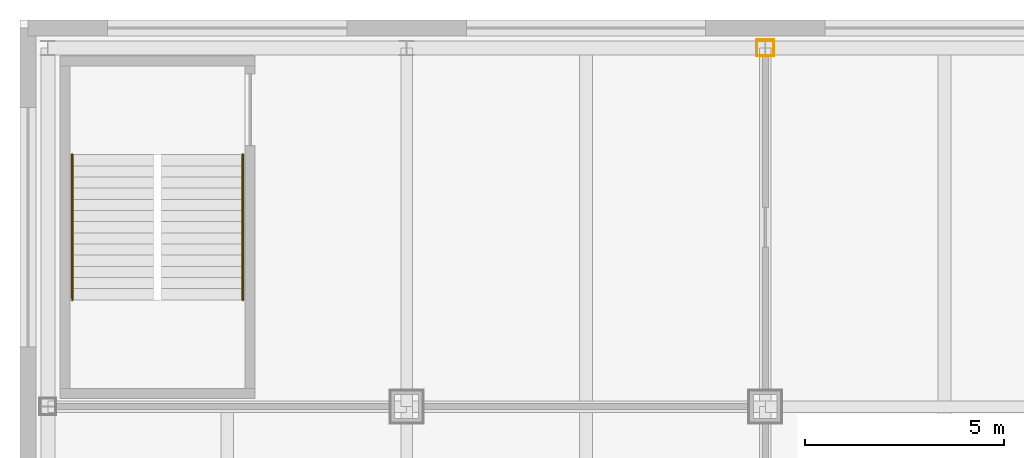
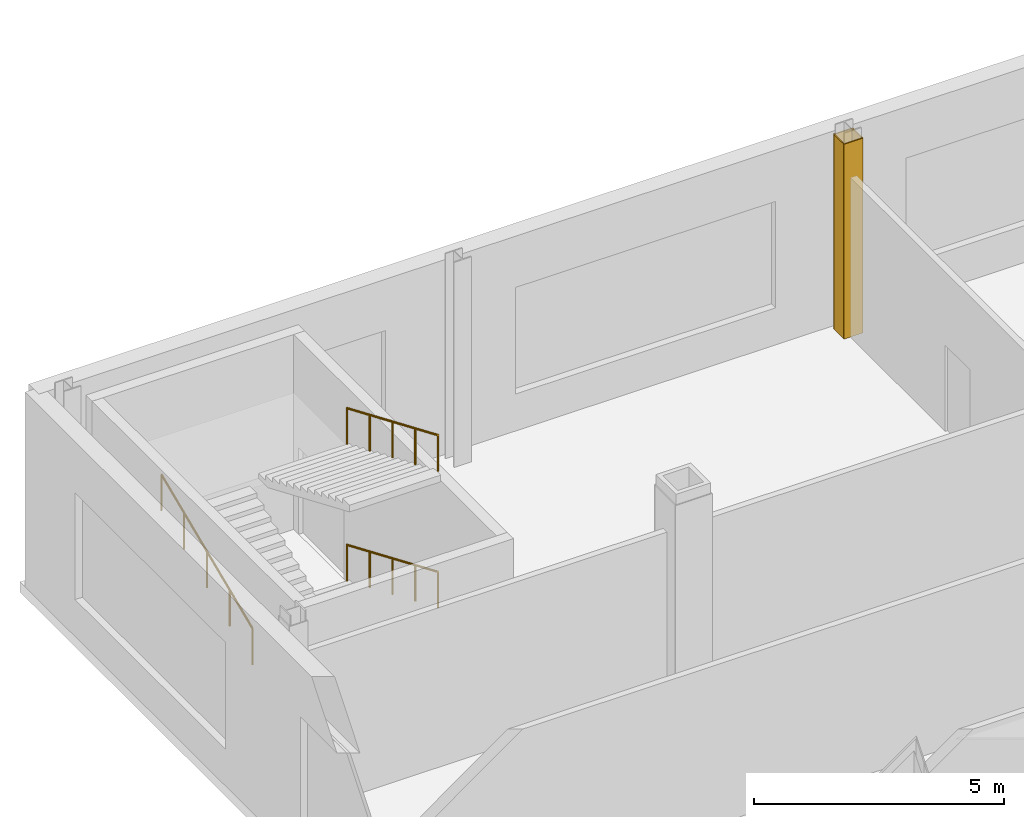
# One storey, part 26 of 28: 4 coverings, 3 railings.
"""IFC4 building model written with IfcOpenShell, lengths in metres."""

from ifc_helpers import new_model, si_unit, direction, frame, origin, origin_2d, place, context, subcontext, project, spatial, rectangle, circle, extrude, material, layer, layer_set, type_object, element, save


model = new_model("IFC4")

# Units and contexts
model_context = context("Model", 3, precision=1e-05, world=origin(), true_north=direction((0.0, 1.0)))
body_context = subcontext(model_context, "Body", "Model", "MODEL_VIEW")
ifc_project = project(units=[si_unit("LENGTHUNIT", "METRE"), si_unit("AREAUNIT", "SQUARE_METRE"), si_unit("VOLUMEUNIT", "CUBIC_METRE"), si_unit("PLANEANGLEUNIT", "RADIAN"), si_unit("MASSUNIT", "GRAM", prefix="KILO")], contexts=[model_context])

# Site, building, storey
site_placement = place(None, origin())
site = spatial("IfcSite", under=ifc_project, at=site_placement, CompositionType="ELEMENT")
building_placement = place(site_placement, origin())
building = spatial("IfcBuilding", under=site, at=building_placement, Name="Loomwork Tower", CompositionType="ELEMENT")
storey_placement = place(building_placement, frame((0.0, 0.0, 6.0)))
storey = spatial("IfcBuildingStorey", under=building, at=storey_placement, Name="L01", CompositionType="ELEMENT", Elevation=6.0)

# Coverings
ifc_material_1 = material(Name="Two-hour fire-rated gypsum board casing")
ifc_layer = layer(ifc_material_1, 0.02490234375)
ifc_layer_set = layer_set([ifc_layer], Name="Column fire casing 25")
covering_type = type_object("IfcCoveringType", Name="Column fire casing 25", PredefinedType="CLADDING", material=ifc_layer_set)
for number, where, z_axis, x_axis, name in (
    (1, (9.0, 45.200439453125, 0.0), (0.0, 0.0, 1.0), (1.0, 0.0, 0.0), "Column casing 9 45 L01"),
    (2, (9.0, 44.799560546875, 0.0), (0.0, 0.0, 1.0), (1.0, 0.0, 0.0), "Column casing 9 45 L01"),
):
    element("IfcCovering", number, at=place(storey_placement, frame(where, z_axis=z_axis, x_axis=x_axis)), inside=storey, type_object=covering_type, Name=name, PredefinedType="CLADDING", context=body_context, shape_type="SweptSolid", body=[
        extrude(rectangle(XDim=0.443603515625, YDim=0.02490234375, at=origin_2d()), origin(), (0.0, 0.0, 1.0), 4.75),
    ])
for number, where, z_axis, x_axis, name in (
    (3, (9.209228515625, 45.0, 0.0), (0.0, 0.0, 1.0), (1.0, 0.0, 0.0), "Column casing 9 45 L01"),
    (4, (8.790771484375, 45.0, 0.0), (0.0, 0.0, 1.0), (1.0, 0.0, 0.0), "Column casing 9 45 L01"),
):
    element("IfcCovering", number, at=place(storey_placement, frame(where, z_axis=z_axis, x_axis=x_axis)), inside=storey, type_object=covering_type, Name=name, PredefinedType="CLADDING", context=body_context, shape_type="SweptSolid", body=[
        extrude(rectangle(XDim=0.02490234375, YDim=0.3759765625, at=origin_2d()), origin(), (0.0, 0.0, 1.0), 4.75),
    ])

# Railings
ifc_material_2 = material(Name="Stainless steel handrail", Category="steel")
railing_type = type_object("IfcRailingType", Name="Handrail 900", PredefinedType="HANDRAIL", material=ifc_material_2)
railing_1_placement = place(storey_placement, frame((-4.110107421875, 42.320068359375, 0.118896484375)))
element("IfcRailing", 5, at=railing_1_placement, inside=storey, type_object=railing_type, Name="Podium stair PS3 handrail flight 1 L01", PredefinedType="HANDRAIL", context=body_context, shape_type="SweptSolid", body=[
    extrude(circle(Radius=0.02392578125, at=origin_2d()), frame((0.0, 0.0, 0.8759765625), z_axis=(0.0, -0.920258693564, 0.391310537706), x_axis=(1.0, 0.0, 0.0)), (0.0, 0.0, 1.0), 3.95556640625),
    extrude(circle(Radius=0.02099609375, at=origin_2d()), origin(), (0.0, 0.0, 1.0), 0.851806640625),
    extrude(circle(Radius=0.02099609375, at=origin_2d()), frame((0.0, -0.91015625, 0.386962890625)), (0.0, 0.0, 1.0), 0.851806640625),
    extrude(circle(Radius=0.02099609375, at=origin_2d()), frame((0.0, -1.820068359375, 0.77392578125)), (0.0, 0.0, 1.0), 0.851806640625),
    extrude(circle(Radius=0.02099609375, at=origin_2d()), frame((0.0, -2.72998046875, 1.160888671875)), (0.0, 0.0, 1.0), 0.851806640625),
    extrude(circle(Radius=0.02099609375, at=origin_2d()), frame((0.0, -3.64013671875, 1.5478515625)), (0.0, 0.0, 1.0), 0.851806640625),
])
railing_2_placement = place(storey_placement, frame((-8.389892578125, 38.679931640625, 1.78564453125)))
element("IfcRailing", 6, at=railing_2_placement, inside=storey, type_object=railing_type, Name="Podium stair PS3 handrail flight 2 L01", PredefinedType="HANDRAIL", context=body_context, shape_type="SweptSolid", body=[
    extrude(circle(Radius=0.02392578125, at=origin_2d()), frame((0.0, 0.0, 0.8759765625), z_axis=(0.0, 0.920258693564, 0.391310537706), x_axis=(-1.0, 0.0, 0.0)), (0.0, 0.0, 1.0), 3.95556640625),
    extrude(circle(Radius=0.02099609375, at=origin_2d()), origin(), (0.0, 0.0, 1.0), 0.851806640625),
    extrude(circle(Radius=0.02099609375, at=origin_2d()), frame((0.0, 0.91015625, 0.386962890625)), (0.0, 0.0, 1.0), 0.851806640625),
    extrude(circle(Radius=0.02099609375, at=origin_2d()), frame((0.0, 1.820068359375, 0.77392578125)), (0.0, 0.0, 1.0), 0.851806640625),
    extrude(circle(Radius=0.02099609375, at=origin_2d()), frame((0.0, 2.72998046875, 1.160888671875)), (0.0, 0.0, 1.0), 0.851806640625),
    extrude(circle(Radius=0.02099609375, at=origin_2d()), frame((0.0, 3.64013671875, 1.5478515625)), (0.0, 0.0, 1.0), 0.851806640625),
])
railing_3_placement = place(storey_placement, frame((-4.110107421875, 42.320068359375, 3.452392578125)))
element("IfcRailing", 7, at=railing_3_placement, inside=storey, type_object=railing_type, Name="Podium stair PS3 handrail flight 3 L01", PredefinedType="HANDRAIL", context=body_context, shape_type="SweptSolid", body=[
    extrude(circle(Radius=0.02392578125, at=origin_2d()), frame((0.0, 0.0, 0.8759765625), z_axis=(0.0, -0.920280918742, 0.391258265855), x_axis=(1.0, 0.0, 0.0)), (0.0, 0.0, 1.0), 3.95556640625),
    extrude(circle(Radius=0.02099609375, at=origin_2d()), origin(), (0.0, 0.0, 1.0), 0.851806640625),
    extrude(circle(Radius=0.02099609375, at=origin_2d()), frame((0.0, -0.91015625, 0.386962890625)), (0.0, 0.0, 1.0), 0.851806640625),
    extrude(circle(Radius=0.02099609375, at=origin_2d()), frame((0.0, -1.820068359375, 0.77392578125)), (0.0, 0.0, 1.0), 0.851806640625),
    extrude(circle(Radius=0.02099609375, at=origin_2d()), frame((0.0, -2.72998046875, 1.16064453125)), (0.0, 0.0, 1.0), 0.851806640625),
    extrude(circle(Radius=0.02099609375, at=origin_2d()), frame((0.0, -3.64013671875, 1.547607421875)), (0.0, 0.0, 1.0), 0.851806640625),
])

save(model, "model.ifc")
